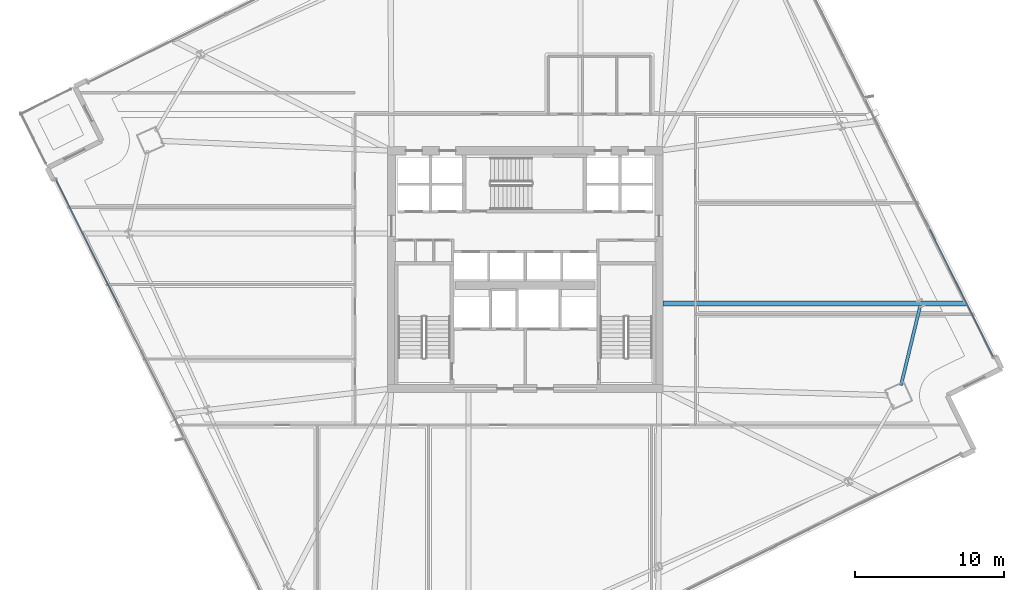
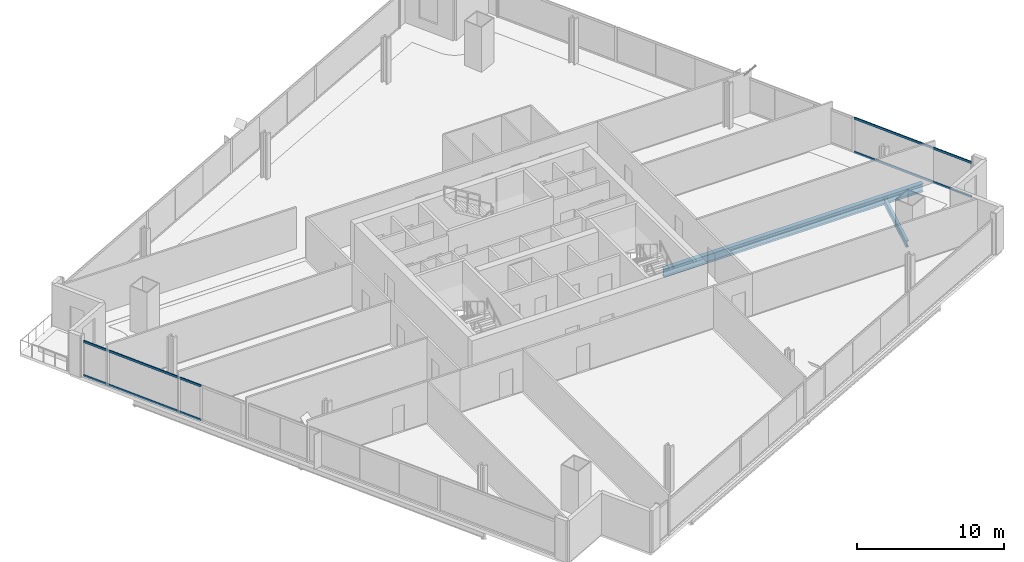
# One storey, part 12 of 35: 4 members, 2 beams, 2 elements without a shape of their own.
"""IFC4 building model written with IfcOpenShell, lengths in metres."""

from ifc_helpers import new_model, si_unit, direction, frame, origin, origin_2d, place, context, subcontext, project, spatial, hollow_rectangle, i_section, extrude, material, material_profile, profile_set, type_object, element, aggregate, save


model = new_model("IFC4")

# Units and contexts
model_context = context("Model", 3, precision=1e-05, world=origin(), true_north=direction((0.0, 1.0)))
body_context = subcontext(model_context, "Body", "Model", "MODEL_VIEW")
ifc_project = project(units=[si_unit("LENGTHUNIT", "METRE"), si_unit("AREAUNIT", "SQUARE_METRE"), si_unit("VOLUMEUNIT", "CUBIC_METRE"), si_unit("PLANEANGLEUNIT", "RADIAN"), si_unit("MASSUNIT", "GRAM", prefix="KILO")], contexts=[model_context])

# Site, building, storey
site_placement = place(None, origin())
site = spatial("IfcSite", under=ifc_project, at=site_placement, CompositionType="ELEMENT")
building_placement = place(site_placement, origin())
building = spatial("IfcBuilding", under=site, at=building_placement, Name="Haldenkirk Collegiate Tower", CompositionType="ELEMENT")
storey_placement = place(building_placement, frame((0.0, 0.0, 116.699951171875)))
storey = spatial("IfcBuildingStorey", under=building, at=storey_placement, Name="L28", CompositionType="ELEMENT", Elevation=116.699951171875)

# Beams
ifc_material_1 = material(Name="Steel ASTM A992 Grade 50", Category="steel")
ifc_material_profile_1 = material_profile(ifc_material_1, i_section(OverallWidth=0.35498046875, OverallDepth=0.696044921875, WebThickness=0.015380859375, FlangeThickness=0.02490234375, at=origin_2d()), Name="W27X146")
ifc_profile_set_1 = profile_set([ifc_material_profile_1], Name="Steel ASTM A992 Grade 50")
beam_type_1 = type_object("IfcBeamType", Name="BM-GIRDER-W27X146", PredefinedType="BEAM", material=ifc_profile_set_1)
beam_1_placement = place(storey_placement, frame((65.6455078125, 23.727294921875, -0.64794921875), z_axis=(-1.0, 0.0, 0.0), x_axis=(0.0, -1.0, 0.0)))
element("IfcBeam", 1, at=beam_1_placement, inside=storey, type_object=beam_type_1, Name="L28 primary floor girder 08", PredefinedType="BEAM", context=body_context, shape_type="SweptSolid", body=[
    extrude(i_section(OverallWidth=0.35498046875, OverallDepth=0.696044921875, WebThickness=0.015380859375, FlangeThickness=0.02490234375, at=origin_2d()), origin(), (0.0, 0.0, 1.0), 20.390625),
])
ifc_material_profile_2 = material_profile(ifc_material_1, i_section(OverallWidth=0.2119140625, OverallDepth=0.5439453125, WebThickness=0.01318359375, FlangeThickness=0.021240234375, at=origin_2d()), Name="W21X83")
ifc_profile_set_2 = profile_set([ifc_material_profile_2], Name="Steel ASTM A992 Grade 50")
beam_type_2 = type_object("IfcBeamType", Name="BM-SPANDREL-W21X83", PredefinedType="SPANDREL", material=ifc_profile_set_2)
beam_2_placement = place(storey_placement, frame((61.277587890625, 18.21826171875, -0.572021484375), z_axis=(0.234815122269, 0.972040049768, 0.0), x_axis=(-0.972040049768, 0.234815122269, 0.0)))
element("IfcBeam", 2, at=beam_2_placement, inside=storey, type_object=beam_type_2, Name="L28 perimeter spandrel beam 05", PredefinedType="SPANDREL", context=body_context, shape_type="SweptSolid", body=[
    extrude(i_section(OverallWidth=0.2119140625, OverallDepth=0.5439453125, WebThickness=0.01318359375, FlangeThickness=0.021240234375, at=origin_2d()), origin(), (0.0, 0.0, 1.0), 5.422119140625),
])

# Curtain wall, members
ifc_material_2 = material(Name="Anodised architectural bronze aluminium", Category="aluminium")
curtain_wall_type = type_object("IfcCurtainWallType", Name="CW-SYS1-CONVEX-LOW", PredefinedType="USERDEFINED", material=ifc_material_2)
curtain_wall_1_placement = place(storey_placement, origin())
curtain_wall_1 = element("IfcCurtainWall", 3, at=curtain_wall_1_placement, inside=storey, type_object=curtain_wall_type, Name="L28 Lower tower convex bronze-framed unitised curtain wall", ObjectType="UNITISED CURTAIN WALL", PredefinedType="USERDEFINED")
ifc_material_profile_3 = material_profile(ifc_material_2, hollow_rectangle(XDim=0.080078125, YDim=0.179931640625, WallThickness=0.0048828125, at=origin_2d()), Name="CW-TRN-1A")
ifc_profile_set_3 = profile_set([ifc_material_profile_3], Name="Anodised architectural bronze aluminium")
member_type = type_object("IfcMemberType", Name="CW-TRN-1A", PredefinedType="USERDEFINED", material=ifc_profile_set_3)
member_1_placement = place(storey_placement, frame((63.18994140625, 28.752685546875, 0.0400390625), z_axis=(0.445422057845, -0.895320719287, 0.0), x_axis=(0.895320719287, 0.445422057845, 0.0)))
member_1 = element("IfcMember", 4, at=member_1_placement, type_object=member_type, Name="CW-1A transom 4.1", ObjectType="TRANSOM", PredefinedType="USERDEFINED", context=body_context, shape_type="SweptSolid", body=[
    extrude(hollow_rectangle(XDim=0.080078125, YDim=0.179931640625, WallThickness=0.0048828125, at=origin_2d()), origin(), (0.0, 0.0, 1.0), 9.5986328125),
])
member_2_placement = place(storey_placement, frame((63.18994140625, 28.752685546875, 2.861083984375), z_axis=(0.445422057845, -0.895320719287, 0.0), x_axis=(0.895320719287, 0.445422057845, 0.0)))
member_2 = element("IfcMember", 5, at=member_2_placement, type_object=member_type, Name="CW-1A transom 4.2", ObjectType="TRANSOM", PredefinedType="USERDEFINED", context=body_context, shape_type="SweptSolid", body=[
    extrude(hollow_rectangle(XDim=0.080078125, YDim=0.179931640625, WallThickness=0.0048828125, at=origin_2d()), origin(), (0.0, 0.0, 1.0), 9.5986328125),
])
aggregate(curtain_wall_1, [member_1, member_2])

curtain_wall_2_placement = place(storey_placement, origin())
curtain_wall_2 = element("IfcCurtainWall", 6, at=curtain_wall_2_placement, inside=storey, type_object=curtain_wall_type, Name="L28 Lower tower convex bronze-framed unitised curtain wall", ObjectType="UNITISED CURTAIN WALL", PredefinedType="USERDEFINED")
member_3_placement = place(storey_placement, frame((8.7099609375, 23.44873046875, 0.0400390625), z_axis=(-0.445432302876, 0.895315622311, 0.0), x_axis=(-0.895315622311, -0.445432302876, 0.0)))
member_3 = element("IfcMember", 7, at=member_3_placement, type_object=member_type, Name="CW-1A transom 4.1", ObjectType="TRANSOM", PredefinedType="USERDEFINED", context=body_context, shape_type="SweptSolid", body=[
    extrude(hollow_rectangle(XDim=0.080078125, YDim=0.179931640625, WallThickness=0.0048828125, at=origin_2d()), origin(), (0.0, 0.0, 1.0), 9.598876953125),
])
member_4_placement = place(storey_placement, frame((8.7099609375, 23.44873046875, 2.861083984375), z_axis=(-0.445432302876, 0.895315622311, 0.0), x_axis=(-0.895315622311, -0.445432302876, 0.0)))
member_4 = element("IfcMember", 8, at=member_4_placement, type_object=member_type, Name="CW-1A transom 4.2", ObjectType="TRANSOM", PredefinedType="USERDEFINED", context=body_context, shape_type="SweptSolid", body=[
    extrude(hollow_rectangle(XDim=0.080078125, YDim=0.179931640625, WallThickness=0.0048828125, at=origin_2d()), origin(), (0.0, 0.0, 1.0), 9.598876953125),
])
aggregate(curtain_wall_2, [member_3, member_4])

save(model, "model.ifc")
